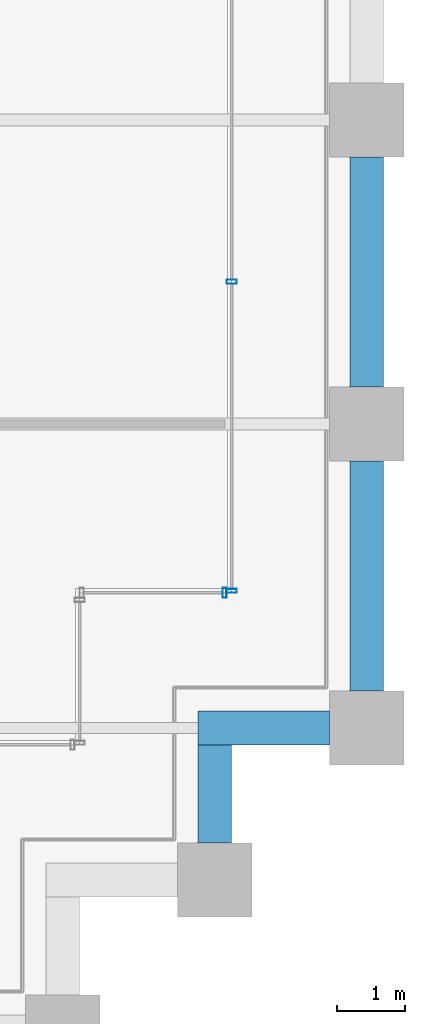
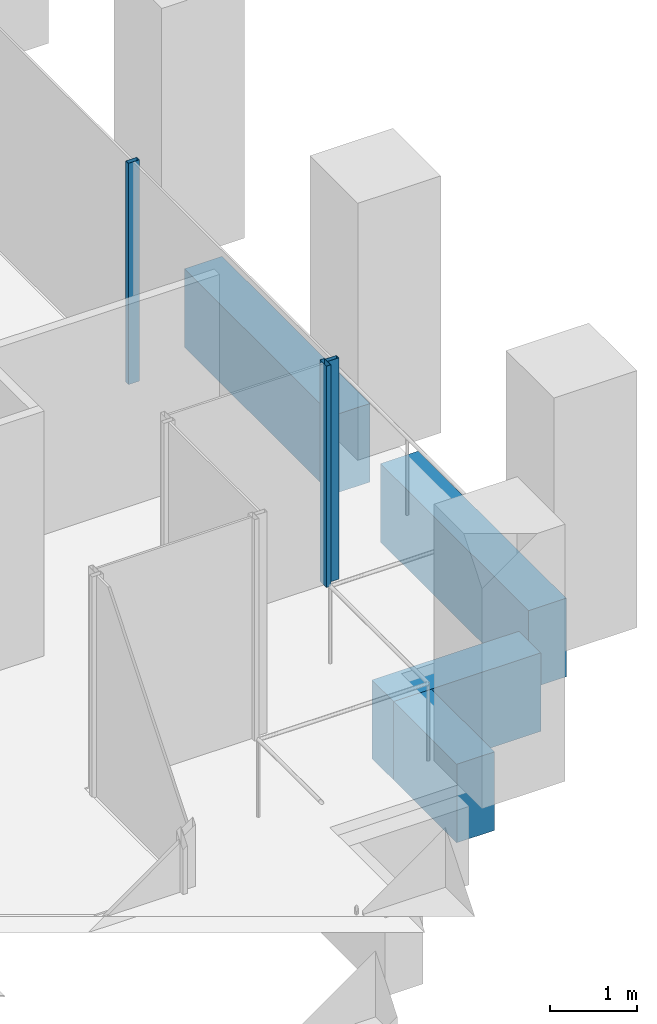
# One storey, part 46 of 56: 4 beams, 3 members, 2 elements without a shape of their own.
"""IFC4 building model written with IfcOpenShell, lengths in metres."""

from ifc_helpers import new_model, si_unit, direction, frame, origin, origin_2d, place, context, subcontext, project, spatial, rectangle, hollow_rectangle, extrude, material, material_profile, profile_set, type_object, element, aggregate, save


model = new_model("IFC4")

# Units and contexts
model_context = context("Model", 3, precision=1e-05, world=origin(), true_north=direction((0.0, 1.0)))
body_context = subcontext(model_context, "Body", "Model", "MODEL_VIEW")
ifc_project = project(units=[si_unit("LENGTHUNIT", "METRE"), si_unit("AREAUNIT", "SQUARE_METRE"), si_unit("VOLUMEUNIT", "CUBIC_METRE"), si_unit("PLANEANGLEUNIT", "RADIAN"), si_unit("MASSUNIT", "GRAM", prefix="KILO")], contexts=[model_context])

# Site, building, storey
site_placement = place(None, origin())
site = spatial("IfcSite", under=ifc_project, at=site_placement, CompositionType="ELEMENT")
building_placement = place(site_placement, origin())
building = spatial("IfcBuilding", under=site, at=building_placement, Name="Altepetl Exchange Towers", CompositionType="ELEMENT")
storey_placement = place(building_placement, frame((0.0, 0.0, 54.60009765625)))
storey = spatial("IfcBuildingStorey", under=building, at=storey_placement, Name="L12", CompositionType="ELEMENT", Elevation=54.60009765625)

# Curtain wall, member
ifc_material_1 = material(Name="Aluminium 6063-T6 glazing", Category="aluminium")
curtain_wall_type = type_object("IfcCurtainWallType", Name="Loggia glazing system", PredefinedType="NOTDEFINED", material=ifc_material_1)
curtain_wall_1_placement = place(storey_placement, origin())
curtain_wall_1 = element("IfcCurtainWall", 1, at=curtain_wall_1_placement, inside=storey, type_object=curtain_wall_type, Name="CW1 run", PredefinedType="NOTDEFINED")
ifc_material_2 = material(Name="Aluminium 6063-T6", Category="aluminium")
ifc_material_profile_1 = material_profile(ifc_material_2, hollow_rectangle(XDim=0.06005859375, YDim=0.14990234375, WallThickness=0.0029296875, at=origin_2d()), Name="Mullion 60x150 aluminium")
ifc_profile_set_1 = profile_set([ifc_material_profile_1], Name="Aluminium 6063-T6")
member_type = type_object("IfcMemberType", Name="Mullion 60x150 aluminium", PredefinedType="MULLION", material=ifc_profile_set_1)
member_1_placement = place(storey_placement, frame((123.89501953125, 33.5, 0.0)))
member_1 = element("IfcMember", 2, at=member_1_placement, type_object=member_type, Name="MU1 mullion", PredefinedType="MULLION", context=body_context, shape_type="SweptSolid", body=[
    extrude(hollow_rectangle(XDim=0.06005859375, YDim=0.14990234375, WallThickness=0.0029296875, at=origin_2d()), origin(), (0.0, 0.0, 1.0), 3.099853515625),
])
aggregate(curtain_wall_1, [member_1])

# Curtain wall, members
curtain_wall_2_placement = place(storey_placement, origin())
curtain_wall_2 = element("IfcCurtainWall", 3, at=curtain_wall_2_placement, inside=storey, type_object=curtain_wall_type, Name="CW1 run", PredefinedType="NOTDEFINED")
member_2_placement = place(storey_placement, frame((124.0, 33.530029296875, 0.0), z_axis=(0.0, 0.0, 1.0), x_axis=(0.0, 1.0, 0.0)))
member_2 = element("IfcMember", 4, at=member_2_placement, type_object=member_type, Name="MU1 mullion", PredefinedType="MULLION", context=body_context, shape_type="SweptSolid", body=[
    extrude(hollow_rectangle(XDim=0.06005859375, YDim=0.14990234375, WallThickness=0.0029296875, at=origin_2d()), origin(), (0.0, 0.0, 1.0), 3.099853515625),
])
member_3_placement = place(storey_placement, frame((124.0, 38.106201171875, 0.0), z_axis=(0.0, 0.0, 1.0), x_axis=(0.0, 1.0, 0.0)))
member_3 = element("IfcMember", 5, at=member_3_placement, type_object=member_type, Name="MU1 mullion", PredefinedType="MULLION", context=body_context, shape_type="SweptSolid", body=[
    extrude(hollow_rectangle(XDim=0.06005859375, YDim=0.14990234375, WallThickness=0.0029296875, at=origin_2d()), origin(), (0.0, 0.0, 1.0), 3.099853515625),
])
aggregate(curtain_wall_2, [member_2, member_3])

# Beams
ifc_material_3 = material(Name="Concrete C50/60 precast with cantera blanca facing", Category="concrete")
ifc_material_profile_2 = material_profile(ifc_material_3, rectangle(XDim=0.5, YDim=1.10009765625, at=origin_2d()), Name="500 x 1100")
ifc_profile_set_2 = profile_set([ifc_material_profile_2], Name="Concrete C50/60 precast with cantera blanca facing")
beam_type = type_object("IfcBeamType", Name="Spandrel beam 500x1100 cantera blanca", PredefinedType="SPANDREL", material=ifc_profile_set_2)
beam_1_placement = place(storey_placement, frame((123.75, 29.800048828125, -0.7001953125), z_axis=(0.0, 1.0, 0.0), x_axis=(-1.0, 0.0, 0.0)))
element("IfcBeam", 6, at=beam_1_placement, inside=storey, type_object=beam_type, Name="sp:B:L12:007", PredefinedType="SPANDREL", context=body_context, shape_type="SweptSolid", body=[
    extrude(rectangle(XDim=0.5, YDim=1.10009765625, at=origin_2d()), origin(), (0.0, 0.0, 1.0), 1.449951171875),
])
beam_2_placement = place(storey_placement, frame((123.5, 31.5, -0.7001953125), z_axis=(1.0, 0.0, 0.0), x_axis=(0.0, 1.0, 0.0)))
element("IfcBeam", 7, at=beam_2_placement, inside=storey, type_object=beam_type, Name="sp:B:L12:008", PredefinedType="SPANDREL", context=body_context, shape_type="SweptSolid", body=[
    extrude(rectangle(XDim=0.5, YDim=1.10009765625, at=origin_2d()), origin(), (0.0, 0.0, 1.0), 1.949951171875),
])
for number, where, z_axis, x_axis, name in (
    (8, (126.0, 32.050048828125, -0.7001953125), (0.0, 1.0, 0.0), (-1.0, 0.0, 0.0), "sp:B:L12:009"),
    (9, (126.0, 36.550048828125, -0.7001953125), (0.0, 1.0, 0.0), (-1.0, 0.0, 0.0), "sp:B:L12:010"),
):
    element("IfcBeam", number, at=place(storey_placement, frame(where, z_axis=z_axis, x_axis=x_axis)), inside=storey, type_object=beam_type, Name=name, PredefinedType="SPANDREL", context=body_context, shape_type="SweptSolid", body=[
        extrude(rectangle(XDim=0.5, YDim=1.10009765625, at=origin_2d()), origin(), (0.0, 0.0, 1.0), 3.39990234375),
    ])

save(model, "model.ifc")
